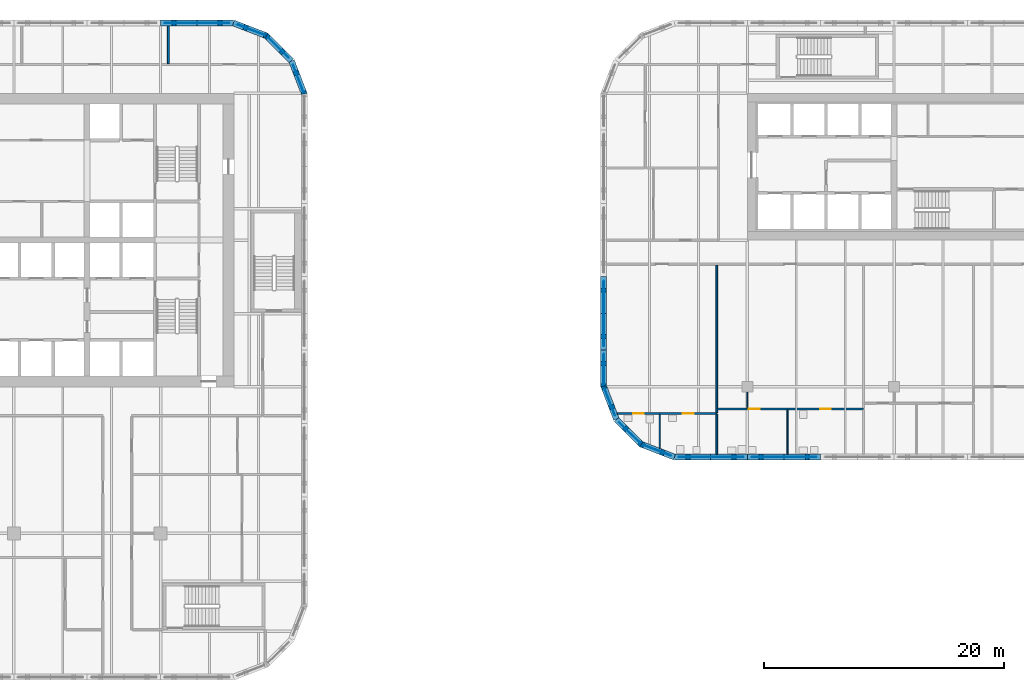
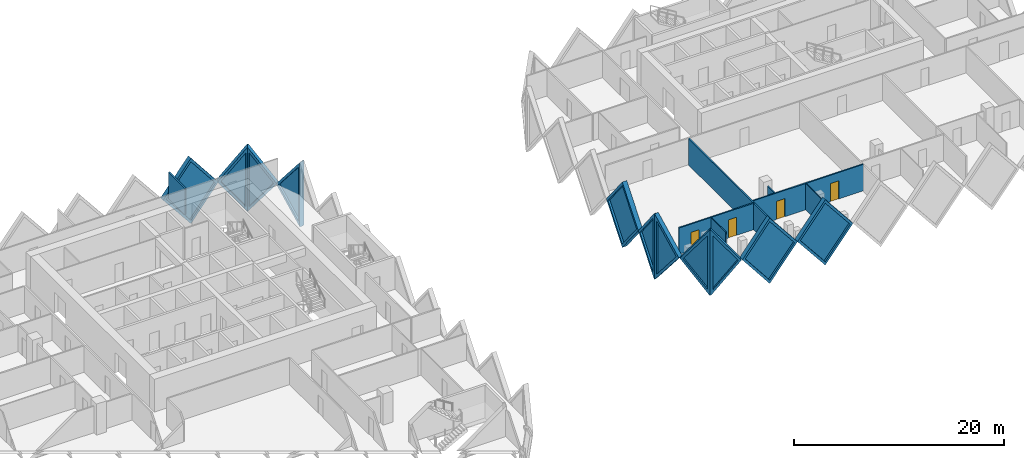
# One storey, part 11 of 20: 19 walls, 11 plates, 4 doors, 15 openings.
"""IFC4 building model written with IfcOpenShell, lengths in metres."""

from ifc_helpers import new_model, si_unit, direction, frame, frame_2d, origin, place, context, subcontext, project, spatial, polyline, rectangle, outline, extrude, faceted_brep, source, transform, mapped, material, layer, layer_set, type_object, element, fill, save


model = new_model("IFC4")

# Units and contexts
model_context = context("Model", 3, precision=1e-05, world=origin(), true_north=direction((0.0, 1.0)))
body_context = subcontext(model_context, "Body", "Model", "MODEL_VIEW")
ifc_project = project(units=[si_unit("LENGTHUNIT", "METRE"), si_unit("AREAUNIT", "SQUARE_METRE"), si_unit("VOLUMEUNIT", "CUBIC_METRE"), si_unit("PLANEANGLEUNIT", "RADIAN"), si_unit("MASSUNIT", "GRAM", prefix="KILO")], contexts=[model_context])

# Site, building, storey
site_placement = place(None, origin())
site = spatial("IfcSite", under=ifc_project, at=site_placement, CompositionType="ELEMENT")
building_placement = place(site_placement, origin())
building = spatial("IfcBuilding", under=site, at=building_placement, Name="Tessera Gate Towers", CompositionType="ELEMENT")
storey_placement = place(building_placement, frame((0.0, 0.0, 52.39990234375)))
storey = spatial("IfcBuildingStorey", under=building, at=storey_placement, Name="L12", CompositionType="ELEMENT", Elevation=52.39990234375)

# Walls
ifc_material_1 = material(Name="Gypsum board on steel studs", Category="steel")
ifc_layer_1 = layer(ifc_material_1, 0.10009765625)
ifc_layer_set_1 = layer_set([ifc_layer_1], Name="PARTITION 100")
wall_type_1 = type_object("IfcWallType", Name="PARTITION 100", PredefinedType="PARTITIONING", material=ifc_layer_set_1)
wall_1_placement = place(storey_placement, frame((100.944091796875, 18.800048828125, 0.0), z_axis=(0.0, 0.0, 1.0), x_axis=(0.0, 1.0, 0.0)))
element("IfcWall", 1, at=wall_1_placement, inside=storey, type_object=wall_type_1, Name="T2-L12-PW-002", PredefinedType="PARTITIONING", context=body_context, shape_type="SweptSolid", body=[
    extrude(rectangle(XDim=3.674072265625, YDim=0.10009765625, at=frame_2d((1.8369140625, 0.0))), origin(), (0.0, 0.0, 1.0), 3.067138671875),
])
wall_2_placement = place(storey_placement, frame((90.320068359375, 19.291015625, 0.0), z_axis=(0.0, 0.0, 1.0), x_axis=(0.0, 1.0, 0.0)))
element("IfcWall", 2, at=wall_2_placement, inside=storey, type_object=wall_type_1, Name="T2-L12-PW-008", PredefinedType="PARTITIONING", context=body_context, shape_type="SweptSolid", body=[
    extrude(rectangle(XDim=2.80810546875, YDim=0.10009765625, at=frame_2d((1.404052734375, 0.0))), origin(), (0.0, 0.0, 1.0), 3.067138671875),
])
wall_3_placement = place(storey_placement, frame((97.60009765625, 23.949951171875, 0.0), z_axis=(0.0, 0.0, 1.0), x_axis=(0.0, -1.0, 0.0)))
element("IfcWall", 3, at=wall_3_placement, inside=storey, type_object=wall_type_1, Name="T2-L12-PW-017", PredefinedType="PARTITIONING", context=body_context, shape_type="SweptSolid", body=[
    extrude(rectangle(XDim=1.324951171875, YDim=0.10009765625, at=frame_2d((0.66259765625, 0.0))), origin(), (0.0, 0.0, 1.0), 3.067138671875),
])
ifc_material_2 = material(Name="Gypsum board on steel studs, mineral wool", Category="steel")
ifc_layer_2 = layer(ifc_material_2, 0.14990234375)
ifc_layer_set_2 = layer_set([ifc_layer_2], Name="TENANCY WALL 150")
wall_type_2 = type_object("IfcWallType", Name="TENANCY WALL 150", PredefinedType="PARTITIONING", material=ifc_layer_set_2)
wall_4_placement = place(storey_placement, frame((49.449951171875, 51.27587890625, 0.0), z_axis=(0.0, 0.0, 1.0), x_axis=(0.0, 1.0, 0.0)))
element("IfcWall", 4, at=wall_4_placement, inside=storey, type_object=wall_type_2, Name="T1-L12-PW-057", PredefinedType="PARTITIONING", context=body_context, shape_type="SweptSolid", body=[
    extrude(rectangle(XDim=3.1240234375, YDim=0.14990234375, at=frame_2d((1.56201171875, 0.0))), origin(), (0.0, 0.0, 1.0), 3.067138671875),
])
wall_5_placement = place(storey_placement, frame((95.050048828125, 18.800048828125, 0.0), z_axis=(0.0, 0.0, 1.0), x_axis=(0.0, 1.0, 0.0)))
element("IfcWall", 5, at=wall_5_placement, inside=storey, type_object=wall_type_2, Name="T2-L12-PW-001", PredefinedType="PARTITIONING", context=body_context, shape_type="SweptSolid", body=[
    extrude(rectangle(XDim=3.299072265625, YDim=0.14990234375, at=frame_2d((1.6494140625, 0.0))), origin(), (0.0, 0.0, 1.0), 3.067138671875),
])

# Wall, openings, doors
wall_6_placement = place(storey_placement, frame((95.050048828125, 22.175048828125, 0.0), z_axis=(0.0, 0.0, 1.0), x_axis=(-1.0, 0.0, 0.0)))
wall_6 = element("IfcWall", 6, at=wall_6_placement, inside=storey, type_object=wall_type_2, Name="T2-L12-PW-009", PredefinedType="PARTITIONING", context=body_context, shape_type="SweptSolid", body=[
    extrude(rectangle(XDim=8.255859375, YDim=0.14990234375, at=frame_2d((4.1279296875, 0.0))), origin(), (0.0, 0.0, 1.0), 3.067138671875),
])
shared_shape_1 = source(origin(), body_context, "Body", "SweptSolid", [
    extrude(rectangle(XDim=0.89990234375, YDim=2.10009765625, at=frame_2d((0.449951171875, 1.050048828125))), frame((0.0, 0.0849609375, 0.0), z_axis=(0.0, -1.0, 0.0), x_axis=(1.0, 0.0, 0.0)), (0.0, 0.0, 1.0), 0.169921875),
])
opening_1_placement = place(wall_6_placement, frame((6.055908203125, 0.0, 0.0)))
opening_1 = element("IfcOpeningElement", 7, at=opening_1_placement, cuts=wall_6, Name="Opening D190-B05-01", PredefinedType="OPENING", context=body_context, shape_type="MappedRepresentation", body=[
    mapped(shared_shape_1, transform((0.0, 0.0, 0.0), scale=1.0)),
])
opening_2_placement = place(wall_6_placement, frame((1.9296875, 0.0, 0.0)))
opening_2 = element("IfcOpeningElement", 8, at=opening_2_placement, cuts=wall_6, Name="Opening D190-B05-04", PredefinedType="OPENING", context=body_context, shape_type="MappedRepresentation", body=[
    mapped(shared_shape_1, transform((0.0, 0.0, 0.0), scale=1.0)),
])
ifc_material_3 = material(Name="Timber door leaf in steel frame", Category="steel")
door_type = type_object("IfcDoorType", Name="INTERNAL DOOR 900 NOT RATED", OperationType="NOTDEFINED", PredefinedType="DOOR", material=ifc_material_3)
shared_shape_2 = source(origin(), body_context, "Body", "SweptSolid", [
    extrude(rectangle(XDim=0.89990234375, YDim=2.10009765625, at=frame_2d((0.449951171875, 1.050048828125))), frame((0.0, 0.02490234375, 0.0), z_axis=(0.0, -1.0, 0.0), x_axis=(1.0, 0.0, 0.0)), (0.0, 0.0, 1.0), 0.050048828125),
])
door_1_placement = place(opening_1_placement, origin())
door_1 = element("IfcDoor", 9, at=door_1_placement, inside=storey, type_object=door_type, Name="T2-L12-PD-001", OperationType="SINGLE_SWING_RIGHT", OverallHeight=2.10009765625, OverallWidth=0.89990234375, PredefinedType="DOOR", context=body_context, shape_type="MappedRepresentation", body=[
    mapped(shared_shape_2, transform((0.0, 0.0, 0.0), scale=1.0)),
])
fill(opening_1, door_1)
door_2_placement = place(opening_2_placement, origin())
door_2 = element("IfcDoor", 10, at=door_2_placement, inside=storey, type_object=door_type, Name="T2-L12-PD-007", OperationType="SINGLE_SWING_RIGHT", OverallHeight=2.10009765625, OverallWidth=0.89990234375, PredefinedType="DOOR", context=body_context, shape_type="MappedRepresentation", body=[
    mapped(shared_shape_2, transform((0.0, 0.0, 0.0), scale=1.0)),
])
fill(opening_2, door_2)

# Wall
wall_7_placement = place(storey_placement, frame((95.050048828125, 22.2509765625, 0.0), z_axis=(0.0, 0.0, 1.0), x_axis=(0.0, 1.0, 0.0)))
element("IfcWall", 11, at=wall_7_placement, inside=storey, type_object=wall_type_2, Name="T2-L12-PW-010", PredefinedType="PARTITIONING", context=body_context, shape_type="SweptSolid", body=[
    extrude(rectangle(XDim=12.27294921875, YDim=0.14990234375, at=frame_2d((6.136474609375, 0.0))), origin(), (0.0, 0.0, 1.0), 3.067138671875),
])

# Wall, openings, doors
wall_8_placement = place(storey_placement, frame((107.25, 22.550048828125, 0.0), z_axis=(0.0, 0.0, 1.0), x_axis=(-1.0, 0.0, 0.0)))
wall_8 = element("IfcWall", 12, at=wall_8_placement, inside=storey, type_object=wall_type_2, Name="T2-L12-PW-011", PredefinedType="PARTITIONING", context=body_context, shape_type="SweptSolid", body=[
    extrude(rectangle(XDim=12.1240234375, YDim=0.14990234375, at=frame_2d((6.06201171875, 0.0))), origin(), (0.0, 0.0, 1.0), 3.067138671875),
])
opening_3_placement = place(wall_8_placement, frame((8.6240234375, 0.0, 0.0)))
opening_3 = element("IfcOpeningElement", 13, at=opening_3_placement, cuts=wall_8, Name="Opening D190-B05-06", PredefinedType="OPENING", context=body_context, shape_type="MappedRepresentation", body=[
    mapped(shared_shape_1, transform((0.0, 0.0, 0.0), scale=1.0)),
])
opening_4_placement = place(wall_8_placement, frame((2.706298828125, 0.0, 0.0)))
opening_4 = element("IfcOpeningElement", 14, at=opening_4_placement, cuts=wall_8, Name="Opening D190-B05-08", PredefinedType="OPENING", context=body_context, shape_type="MappedRepresentation", body=[
    mapped(shared_shape_1, transform((0.0, 0.0, 0.0), scale=1.0)),
])
door_3_placement = place(opening_3_placement, origin())
door_3 = element("IfcDoor", 15, at=door_3_placement, inside=storey, type_object=door_type, Name="T2-L12-PD-009", OperationType="SINGLE_SWING_RIGHT", OverallHeight=2.10009765625, OverallWidth=0.89990234375, PredefinedType="DOOR", context=body_context, shape_type="MappedRepresentation", body=[
    mapped(shared_shape_2, transform((0.0, 0.0, 0.0), scale=1.0)),
])
fill(opening_3, door_3)
door_4_placement = place(opening_4_placement, origin())
door_4 = element("IfcDoor", 16, at=door_4_placement, inside=storey, type_object=door_type, Name="T2-L12-PD-012", OperationType="SINGLE_SWING_RIGHT", OverallHeight=2.10009765625, OverallWidth=0.89990234375, PredefinedType="DOOR", context=body_context, shape_type="MappedRepresentation", body=[
    mapped(shared_shape_2, transform((0.0, 0.0, 0.0), scale=1.0)),
])
fill(opening_4, door_4)

# Wall, opening, plate
ifc_material_4 = material(Name="Precast concrete C60/75 white", Category="concrete")
ifc_layer_3 = layer(ifc_material_4, 0.5)
ifc_layer_set_3 = layer_set([ifc_layer_3], Name="TS1 tessera")
wall_type_3 = type_object("IfcWallType", Name="TS1 tessera", PredefinedType="SOLIDWALL", material=ifc_layer_set_3)
shared_shape_3 = source(origin(), body_context, "Body", "Brep", [
    faceted_brep([(3.050048828125, -0.25, 0.0), (6.099853515625, -0.25, 3.799560546875), (6.099853515625, -0.25, 3.800048828125), (3.050048828125, -0.25, 7.599853515625), (0.0, -0.25, 3.7998046875), (0.0, 0.25, 3.7998046875), (3.050048828125, 0.25, 7.599853515625), (6.099853515625, 0.25, 3.800048828125), (6.099853515625, 0.25, 3.799560546875), (3.050048828125, 0.25, 0.0)], [[[0, 1, 2, 3, 4]], [[5, 6, 7, 8, 9]], [[9, 8, 1, 0]], [[7, 6, 3, 2]], [[6, 5, 4, 3]], [[5, 9, 0, 4]], [[1, 8, 7, 2]]]),
])
wall_9_placement = place(storey_placement, frame((97.60009765625, 18.550048828125, -3.7998046875), z_axis=(0.0, 0.0, 1.0), x_axis=(1.0, 0.0, 0.0)))
wall_9 = element("IfcWall", 17, at=wall_9_placement, inside=storey, type_object=wall_type_3, Name="Precast tessera T2 TS1-0127", PredefinedType="SOLIDWALL", context=body_context, shape_type="MappedRepresentation", body=[
    mapped(shared_shape_3, transform((0.0, 0.0, 0.0), scale=1.0)),
])
shared_shape_4 = source(origin(), body_context, "Body", "SweptSolid", [
    extrude(outline(polyline([(3.050048828125, 0.3994140625), (5.779541015625, 3.7998046875), (3.050048828125, 7.200439453125), (0.320556640625, 3.7998046875), (3.050048828125, 0.3994140625)])), frame((0.0, 0.260009765625, 0.0), z_axis=(0.0, -1.0, 0.0), x_axis=(1.0, 0.0, 0.0)), (0.0, 0.0, 1.0), 0.52001953125),
])
opening_5_placement = place(wall_9_placement, origin())
opening_5 = element("IfcOpeningElement", 18, at=opening_5_placement, cuts=wall_9, Name="Opening T2-PL2-0239", PredefinedType="OPENING", context=body_context, shape_type="MappedRepresentation", body=[
    mapped(shared_shape_4, transform((0.0, 0.0, 0.0), scale=1.0)),
])
ifc_material_5 = material(Name="Low-e laminated glass", Category="glass")
ifc_layer_4 = layer(ifc_material_5, 0.06005859375)
ifc_layer_set_4 = layer_set([ifc_layer_4], Name="PL2 rhombic pane")
plate_type = type_object("IfcPlateType", Name="PL2 rhombic pane", PredefinedType="SHEET", material=ifc_layer_set_4)
shared_shape_5 = source(origin(), body_context, "Body", "SweptSolid", [
    extrude(outline(polyline([(3.050048828125, 0.3994140625), (5.779541015625, 3.7998046875), (3.050048828125, 7.200439453125), (0.320556640625, 3.7998046875), (3.050048828125, 0.3994140625)])), frame((0.0, 0.030029296875, 0.0), z_axis=(0.0, -1.0, 0.0), x_axis=(1.0, 0.0, 0.0)), (0.0, 0.0, 1.0), 0.06005859375),
])
plate_1_placement = place(opening_5_placement, origin())
plate_1 = element("IfcPlate", 19, at=plate_1_placement, inside=storey, type_object=plate_type, Name="Glass pane T2 PL2-0239", PredefinedType="SHEET", context=body_context, shape_type="MappedRepresentation", body=[
    mapped(shared_shape_5, transform((0.0, 0.0, 0.0), scale=1.0)),
])
fill(opening_5, plate_1)

shared_shape_6 = source(origin(), body_context, "Body", "SweptSolid", [
    extrude(outline(polyline([(3.050048828125, 0.0), (6.10009765625, 3.7998046875), (3.050048828125, 7.599853515625), (0.0, 3.7998046875), (3.050048828125, 0.0)])), frame((0.0, 0.25, 0.0), z_axis=(0.0, -1.0, 0.0), x_axis=(1.0, 0.0, 0.0)), (0.0, 0.0, 1.0), 0.5),
])
wall_10_placement = place(storey_placement, frame((85.64990234375, 33.550048828125, -3.7998046875), z_axis=(0.0, 0.0, 1.0), x_axis=(0.0, -1.0, 0.0)))
wall_10 = element("IfcWall", 20, at=wall_10_placement, inside=storey, type_object=wall_type_3, Name="Precast tessera T2 TS1-0143", PredefinedType="SOLIDWALL", context=body_context, shape_type="MappedRepresentation", body=[
    mapped(shared_shape_6, transform((0.0, 0.0, 0.0), scale=1.0)),
])
opening_6_placement = place(wall_10_placement, origin())
opening_6 = element("IfcOpeningElement", 21, at=opening_6_placement, cuts=wall_10, Name="Opening T2-PL2-0267", PredefinedType="OPENING", context=body_context, shape_type="MappedRepresentation", body=[
    mapped(shared_shape_4, transform((0.0, 0.0, 0.0), scale=1.0)),
])
plate_2_placement = place(opening_6_placement, origin())
plate_2 = element("IfcPlate", 22, at=plate_2_placement, inside=storey, type_object=plate_type, Name="Glass pane T2 PL2-0267", PredefinedType="SHEET", context=body_context, shape_type="MappedRepresentation", body=[
    mapped(shared_shape_5, transform((0.0, 0.0, 0.0), scale=1.0)),
])
fill(opening_6, plate_2)

ifc_material_6 = material(Name="Precast concrete C60/75 white", Category="concrete")
ifc_layer_5 = layer(ifc_material_6, 0.5)
ifc_layer_set_5 = layer_set([ifc_layer_5], Name="TS3 corner tessera")
wall_type_4 = type_object("IfcWallType", Name="TS3 corner tessera", PredefinedType="SOLIDWALL", material=ifc_layer_set_5)
shared_shape_7 = source(origin(), body_context, "Body", "Brep", [
    faceted_brep([(3.00341796875, -0.25, 0.0), (3.050048828125, -0.25, 0.06005859375), (3.050048828125, -0.25, 7.539794921875), (3.00341796875, -0.25, 7.599853515625), (0.0, -0.25, 3.7998046875), (0.0, 0.25, 3.7998046875), (2.956787109375, 0.25, 7.541015625), (2.956787109375, 0.25, 0.058837890625), (3.00341796875, 0.000244140625, 0.0), (3.00341796875, 0.000244140625, 7.599853515625)], [[[0, 1, 2, 3, 4]], [[5, 6, 7]], [[1, 0, 8]], [[9, 3, 2]], [[6, 5, 4, 3, 9]], [[5, 7, 8, 0, 4]], [[1, 8, 7, 6, 9, 2]]]),
])
wall_11_placement = place(storey_placement, frame((85.64990234375, 27.449951171875, -3.7998046875), z_axis=(0.0, 0.0, 1.0), x_axis=(0.0, -1.0, 0.0)))
wall_11 = element("IfcWall", 23, at=wall_11_placement, inside=storey, type_object=wall_type_4, Name="Precast corner tessera T2 TS3-0173", PredefinedType="SOLIDWALL", context=body_context, shape_type="MappedRepresentation", body=[
    mapped(shared_shape_7, transform((0.0, 0.0, 0.0), scale=1.0)),
])
shared_shape_8 = source(origin(), body_context, "Body", "SweptSolid", [
    extrude(outline(polyline([(2.803466796875, 6.943603515625), (0.318603515625, 3.7998046875), (2.803466796875, 0.656005859375), (2.803466796875, 6.943603515625)])), frame((0.0, 0.260009765625, 0.0), z_axis=(0.0, -1.0, 0.0), x_axis=(1.0, 0.0, 0.0)), (0.0, 0.0, 1.0), 0.52001953125),
])
opening_7_placement = place(wall_11_placement, origin())
opening_7 = element("IfcOpeningElement", 24, at=opening_7_placement, cuts=wall_11, Name="Opening T2-PL2-0268", PredefinedType="OPENING", context=body_context, shape_type="MappedRepresentation", body=[
    mapped(shared_shape_8, transform((0.0, 0.0, 0.0), scale=1.0)),
])
shared_shape_9 = source(origin(), body_context, "Body", "SweptSolid", [
    extrude(outline(polyline([(2.803466796875, 6.943603515625), (0.318603515625, 3.7998046875), (2.803466796875, 0.656005859375), (2.803466796875, 6.943603515625)])), frame((0.0, 0.030029296875, 0.0), z_axis=(0.0, -1.0, 0.0), x_axis=(1.0, 0.0, 0.0)), (0.0, 0.0, 1.0), 0.06005859375),
])
plate_3_placement = place(opening_7_placement, origin())
plate_3 = element("IfcPlate", 25, at=plate_3_placement, inside=storey, type_object=plate_type, Name="Glass pane T2 PL2-0268", PredefinedType="SHEET", context=body_context, shape_type="MappedRepresentation", body=[
    mapped(shared_shape_9, transform((0.0, 0.0, 0.0), scale=1.0)),
])
fill(opening_7, plate_3)

shared_shape_10 = source(origin(), body_context, "Body", "Brep", [
    faceted_brep([(0.046630859375, -0.25, 0.0), (2.9970703125, -0.25, 3.7998046875), (0.046630859375, -0.25, 7.599853515625), (0.0, -0.25, 7.541015625), (0.0, -0.25, 0.058837890625), (0.09326171875, 0.25, 7.539794921875), (2.9443359375, 0.25, 3.867919921875), (2.9443359375, 0.25, 3.731689453125), (0.09326171875, 0.25, 0.06005859375), (2.9970703125, 0.00048828125, 3.7998046875), (0.046630859375, 0.0, 0.0), (0.046630859375, 0.0, 7.599853515625)], [[[0, 1, 2, 3, 4]], [[5, 6, 7, 8]], [[8, 7, 9, 1, 0, 10]], [[6, 5, 11, 2, 1, 9]], [[3, 2, 11]], [[10, 0, 4]], [[8, 10, 4, 3, 11, 5]], [[9, 7, 6]]]),
])
wall_12_placement = place(storey_placement, frame((60.766845703125, 48.7099609375, -3.7998046875), z_axis=(0.0, 0.0, 1.0), x_axis=(-0.359901446078, 0.932990326376, 0.0)))
wall_12 = element("IfcWall", 26, at=wall_12_placement, inside=storey, type_object=wall_type_4, Name="Precast corner tessera T1 TS3-0246", PredefinedType="SOLIDWALL", context=body_context, shape_type="MappedRepresentation", body=[
    mapped(shared_shape_10, transform((0.0, 0.0, 0.0), scale=1.0)),
])
shared_shape_11 = source(origin(), body_context, "Body", "SweptSolid", [
    extrude(outline(polyline([(0.24658203125, 0.6650390625), (2.6806640625, 3.7998046875), (0.24658203125, 6.9345703125), (0.24658203125, 0.6650390625)])), frame((0.0, 0.260009765625, 0.0), z_axis=(0.0, -1.0, 0.0), x_axis=(1.0, 0.0, 0.0)), (0.0, 0.0, 1.0), 0.52001953125),
])
opening_8_placement = place(wall_12_placement, origin())
opening_8 = element("IfcOpeningElement", 27, at=opening_8_placement, cuts=wall_12, Name="Opening T1-PL2-0344", PredefinedType="OPENING", context=body_context, shape_type="MappedRepresentation", body=[
    mapped(shared_shape_11, transform((0.0, 0.0, 0.0), scale=1.0)),
])
shared_shape_12 = source(origin(), body_context, "Body", "SweptSolid", [
    extrude(outline(polyline([(0.24658203125, 0.6650390625), (2.6806640625, 3.7998046875), (0.24658203125, 6.9345703125), (0.24658203125, 0.6650390625)])), frame((0.0, 0.030029296875, 0.0), z_axis=(0.0, -1.0, 0.0), x_axis=(1.0, 0.0, 0.0)), (0.0, 0.0, 1.0), 0.06005859375),
])
plate_4_placement = place(opening_8_placement, origin())
plate_4 = element("IfcPlate", 28, at=plate_4_placement, inside=storey, type_object=plate_type, Name="Glass pane T1 PL2-0344", PredefinedType="SHEET", context=body_context, shape_type="MappedRepresentation", body=[
    mapped(shared_shape_12, transform((0.0, 0.0, 0.0), scale=1.0)),
])
fill(opening_8, plate_4)

wall_13_placement = place(storey_placement, frame((85.63330078125, 24.489990234375, -3.7998046875), z_axis=(0.0, 0.0, 1.0), x_axis=(0.359901446078, -0.932990326376, 0.0)))
wall_13 = element("IfcWall", 29, at=wall_13_placement, inside=storey, type_object=wall_type_4, Name="Precast corner tessera T2 TS3-0174", PredefinedType="SOLIDWALL", context=body_context, shape_type="MappedRepresentation", body=[
    mapped(shared_shape_10, transform((0.0, 0.0, 0.0), scale=1.0)),
])
opening_9_placement = place(wall_13_placement, origin())
opening_9 = element("IfcOpeningElement", 30, at=opening_9_placement, cuts=wall_13, Name="Opening T2-PL2-0269", PredefinedType="OPENING", context=body_context, shape_type="MappedRepresentation", body=[
    mapped(shared_shape_11, transform((0.0, 0.0, 0.0), scale=1.0)),
])
plate_5_placement = place(opening_9_placement, origin())
plate_5 = element("IfcPlate", 31, at=plate_5_placement, inside=storey, type_object=plate_type, Name="Glass pane T2 PL2-0269", PredefinedType="SHEET", context=body_context, shape_type="MappedRepresentation", body=[
    mapped(shared_shape_12, transform((0.0, 0.0, 0.0), scale=1.0)),
])
fill(opening_9, plate_5)

shared_shape_13 = source(origin(), body_context, "Body", "Brep", [
    faceted_brep([(2.944091796875, -0.25, 0.0), (2.9970703125, -0.25, 0.068115234375), (2.9970703125, -0.25, 7.53173828125), (2.944091796875, -0.25, 7.599853515625), (0.0, -0.25, 3.7998046875), (0.052978515625, 0.25, 3.8681640625), (2.89111328125, 0.25, 7.53173828125), (2.89111328125, 0.25, 0.068115234375), (0.052978515625, 0.25, 3.7314453125), (2.944091796875, 0.000244140625, 0.0), (2.944091796875, 0.000244140625, 7.599853515625), (0.0, 0.0, 3.7998046875)], [[[0, 1, 2, 3, 4]], [[5, 6, 7, 8]], [[1, 0, 9]], [[10, 3, 2]], [[6, 5, 11, 4, 3, 10]], [[8, 7, 9, 0, 4, 11]], [[8, 11, 5]], [[1, 9, 7, 6, 10, 2]]]),
])
wall_14_placement = place(storey_placement, frame((86.7119140625, 21.69384765625, -3.7998046875), z_axis=(0.0, 0.0, 1.0), x_axis=(0.707066050402, -0.707147509625, 0.0)))
wall_14 = element("IfcWall", 32, at=wall_14_placement, inside=storey, type_object=wall_type_4, Name="Precast corner tessera T2 TS3-0175", PredefinedType="SOLIDWALL", context=body_context, shape_type="MappedRepresentation", body=[
    mapped(shared_shape_13, transform((0.0, 0.0, 0.0), scale=1.0)),
])
shared_shape_14 = source(origin(), body_context, "Body", "SweptSolid", [
    extrude(outline(polyline([(2.744140625, 6.93359375), (0.316162109375, 3.7998046875), (2.744140625, 0.666259765625), (2.744140625, 6.93359375)])), frame((0.0, 0.260009765625, 0.0), z_axis=(0.0, -1.0, 0.0), x_axis=(1.0, 0.0, 0.0)), (0.0, 0.0, 1.0), 0.52001953125),
])
opening_10_placement = place(wall_14_placement, origin())
opening_10 = element("IfcOpeningElement", 33, at=opening_10_placement, cuts=wall_14, Name="Opening T2-PL2-0270", PredefinedType="OPENING", context=body_context, shape_type="MappedRepresentation", body=[
    mapped(shared_shape_14, transform((0.0, 0.0, 0.0), scale=1.0)),
])
shared_shape_15 = source(origin(), body_context, "Body", "SweptSolid", [
    extrude(outline(polyline([(2.744140625, 6.93359375), (0.316162109375, 3.7998046875), (2.744140625, 0.666259765625), (2.744140625, 6.93359375)])), frame((0.0, 0.030029296875, 0.0), z_axis=(0.0, -1.0, 0.0), x_axis=(1.0, 0.0, 0.0)), (0.0, 0.0, 1.0), 0.06005859375),
])
plate_6_placement = place(opening_10_placement, origin())
plate_6 = element("IfcPlate", 34, at=plate_6_placement, inside=storey, type_object=plate_type, Name="Glass pane T2 PL2-0270", PredefinedType="SHEET", context=body_context, shape_type="MappedRepresentation", body=[
    mapped(shared_shape_15, transform((0.0, 0.0, 0.0), scale=1.0)),
])
fill(opening_10, plate_6)

shared_shape_16 = source(origin(), body_context, "Body", "Brep", [
    faceted_brep([(3.00341796875, -0.25, 0.0), (6.053466796875, -0.25, 3.7998046875), (3.00341796875, -0.25, 7.599853515625), (0.0, -0.25, 3.7998046875), (0.046630859375, 0.25, 3.858642578125), (3.00341796875, 0.25, 7.599853515625), (6.053466796875, 0.25, 3.7998046875), (3.00341796875, 0.25, 0.0), (0.046630859375, 0.25, 3.740966796875), (0.0, 0.0, 3.7998046875)], [[[0, 1, 2, 3]], [[4, 5, 6, 7, 8]], [[7, 6, 1, 0]], [[6, 5, 2, 1]], [[5, 4, 9, 3, 2]], [[8, 7, 0, 3, 9]], [[8, 9, 4]]]),
])
wall_15_placement = place(storey_placement, frame((54.853515625, 54.64990234375, -3.7998046875), z_axis=(0.0, 0.0, 1.0), x_axis=(-1.0, 0.0, 0.0)))
wall_15 = element("IfcWall", 35, at=wall_15_placement, inside=storey, type_object=wall_type_3, Name="Precast tessera T1 TS1-0171", PredefinedType="SOLIDWALL", context=body_context, shape_type="MappedRepresentation", body=[
    mapped(shared_shape_16, transform((0.0, 0.0, 0.0), scale=1.0)),
])
shared_shape_17 = source(origin(), body_context, "Body", "SweptSolid", [
    extrude(outline(polyline([(3.0048828125, 0.401123046875), (5.73291015625, 3.7998046875), (3.0048828125, 7.19873046875), (0.318603515625, 3.7998046875), (3.0048828125, 0.401123046875)])), frame((0.0, 0.260009765625, 0.0), z_axis=(0.0, -1.0, 0.0), x_axis=(1.0, 0.0, 0.0)), (0.0, 0.0, 1.0), 0.52001953125),
])
opening_11_placement = place(wall_15_placement, origin())
opening_11 = element("IfcOpeningElement", 36, at=opening_11_placement, cuts=wall_15, Name="Opening T1-PL2-0347", PredefinedType="OPENING", context=body_context, shape_type="MappedRepresentation", body=[
    mapped(shared_shape_17, transform((0.0, 0.0, 0.0), scale=1.0)),
])
shared_shape_18 = source(origin(), body_context, "Body", "SweptSolid", [
    extrude(outline(polyline([(3.0048828125, 0.401123046875), (5.73291015625, 3.7998046875), (3.0048828125, 7.19873046875), (0.318603515625, 3.7998046875), (3.0048828125, 0.401123046875)])), frame((0.0, 0.030029296875, 0.0), z_axis=(0.0, -1.0, 0.0), x_axis=(1.0, 0.0, 0.0)), (0.0, 0.0, 1.0), 0.06005859375),
])
plate_7_placement = place(opening_11_placement, origin())
plate_7 = element("IfcPlate", 37, at=plate_7_placement, inside=storey, type_object=plate_type, Name="Glass pane T1 PL2-0347", PredefinedType="SHEET", context=body_context, shape_type="MappedRepresentation", body=[
    mapped(shared_shape_18, transform((0.0, 0.0, 0.0), scale=1.0)),
])
fill(opening_11, plate_7)

wall_16_placement = place(storey_placement, frame((91.546630859375, 18.550048828125, -3.7998046875), z_axis=(0.0, 0.0, 1.0), x_axis=(1.0, 0.0, 0.0)))
wall_16 = element("IfcWall", 38, at=wall_16_placement, inside=storey, type_object=wall_type_3, Name="Precast tessera T2 TS1-0126", PredefinedType="SOLIDWALL", context=body_context, shape_type="MappedRepresentation", body=[
    mapped(shared_shape_16, transform((0.0, 0.0, 0.0), scale=1.0)),
])
opening_12_placement = place(wall_16_placement, origin())
opening_12 = element("IfcOpeningElement", 39, at=opening_12_placement, cuts=wall_16, Name="Opening T2-PL2-0238", PredefinedType="OPENING", context=body_context, shape_type="MappedRepresentation", body=[
    mapped(shared_shape_17, transform((0.0, 0.0, 0.0), scale=1.0)),
])
plate_8_placement = place(opening_12_placement, origin())
plate_8 = element("IfcPlate", 40, at=plate_8_placement, inside=storey, type_object=plate_type, Name="Glass pane T2 PL2-0238", PredefinedType="SHEET", context=body_context, shape_type="MappedRepresentation", body=[
    mapped(shared_shape_18, transform((0.0, 0.0, 0.0), scale=1.0)),
])
fill(opening_12, plate_8)

shared_shape_19 = source(origin(), body_context, "Body", "Brep", [
    faceted_brep([(2.944091796875, -0.25, 0.0), (2.9970703125, -0.25, 0.068115234375), (2.9970703125, -0.25, 7.53173828125), (2.944091796875, -0.25, 7.599853515625), (0.0, -0.25, 3.7998046875), (0.052978515625, 0.25, 3.8681640625), (2.89111328125, 0.25, 7.53173828125), (2.89111328125, 0.25, 0.068115234375), (0.052978515625, 0.25, 3.7314453125), (2.944091796875, 0.000244140625, 0.0), (2.944091796875, 0.000244140625, 7.599853515625), (0.0, 0.0, 3.7998046875)], [[[0, 1, 2, 3, 4]], [[5, 6, 7, 8]], [[1, 0, 9]], [[10, 3, 2]], [[6, 5, 11, 4, 3, 10]], [[8, 7, 9, 0, 4, 11]], [[8, 11, 5]], [[1, 9, 7, 6, 10, 2]]]),
])
wall_17_placement = place(storey_placement, frame((59.68798828125, 51.50634765625, -3.7998046875), z_axis=(0.0, 0.0, 1.0), x_axis=(-0.707106781187, 0.707106781187, 0.0)))
wall_17 = element("IfcWall", 41, at=wall_17_placement, inside=storey, type_object=wall_type_4, Name="Precast corner tessera T1 TS3-0247", PredefinedType="SOLIDWALL", context=body_context, shape_type="MappedRepresentation", body=[
    mapped(shared_shape_19, transform((0.0, 0.0, 0.0), scale=1.0)),
])
opening_13_placement = place(wall_17_placement, origin())
opening_13 = element("IfcOpeningElement", 42, at=opening_13_placement, cuts=wall_17, Name="Opening T1-PL2-0345", PredefinedType="OPENING", context=body_context, shape_type="MappedRepresentation", body=[
    mapped(shared_shape_14, transform((0.0, 0.0, 0.0), scale=1.0)),
])
plate_9_placement = place(opening_13_placement, origin())
plate_9 = element("IfcPlate", 43, at=plate_9_placement, inside=storey, type_object=plate_type, Name="Glass pane T1 PL2-0345", PredefinedType="SHEET", context=body_context, shape_type="MappedRepresentation", body=[
    mapped(shared_shape_15, transform((0.0, 0.0, 0.0), scale=1.0)),
])
fill(opening_13, plate_9)

shared_shape_20 = source(origin(), body_context, "Body", "Brep", [
    faceted_brep([(0.052978515625, -0.25, 0.0), (3.00341796875, -0.25, 3.7998046875), (0.052978515625, -0.25, 7.599853515625), (0.0, -0.25, 7.531494140625), (0.0, -0.25, 0.068359375), (0.10595703125, 0.25, 7.53173828125), (2.95703125, 0.25, 3.859619140625), (2.95703125, 0.25, 3.739990234375), (0.10595703125, 0.25, 0.068115234375), (3.00341796875, 0.00048828125, 3.7998046875), (0.052978515625, 0.0, 0.0), (0.052978515625, 0.0, 7.599853515625)], [[[0, 1, 2, 3, 4]], [[5, 6, 7, 8]], [[8, 7, 9, 1, 0, 10]], [[6, 5, 11, 2, 1, 9]], [[3, 2, 11]], [[10, 0, 4]], [[8, 10, 4, 3, 11, 5]], [[9, 7, 6]]]),
])
wall_18_placement = place(storey_placement, frame((57.65576171875, 53.569091796875, -3.7998046875), z_axis=(0.0, 0.0, 1.0), x_axis=(-0.933007896601, 0.359855894603, 0.0)))
wall_18 = element("IfcWall", 44, at=wall_18_placement, inside=storey, type_object=wall_type_4, Name="Precast corner tessera T1 TS3-0248", PredefinedType="SOLIDWALL", context=body_context, shape_type="MappedRepresentation", body=[
    mapped(shared_shape_20, transform((0.0, 0.0, 0.0), scale=1.0)),
])
shared_shape_21 = source(origin(), body_context, "Body", "SweptSolid", [
    extrude(outline(polyline([(0.2529296875, 0.6650390625), (2.68701171875, 3.7998046875), (0.2529296875, 6.9345703125), (0.2529296875, 0.6650390625)])), frame((0.0, 0.260009765625, 0.0), z_axis=(0.0, -1.0, 0.0), x_axis=(1.0, 0.0, 0.0)), (0.0, 0.0, 1.0), 0.52001953125),
])
opening_14_placement = place(wall_18_placement, origin())
opening_14 = element("IfcOpeningElement", 45, at=opening_14_placement, cuts=wall_18, Name="Opening T1-PL2-0346", PredefinedType="OPENING", context=body_context, shape_type="MappedRepresentation", body=[
    mapped(shared_shape_21, transform((0.0, 0.0, 0.0), scale=1.0)),
])
shared_shape_22 = source(origin(), body_context, "Body", "SweptSolid", [
    extrude(outline(polyline([(0.2529296875, 0.6650390625), (2.68701171875, 3.7998046875), (0.2529296875, 6.9345703125), (0.2529296875, 0.6650390625)])), frame((0.0, 0.030029296875, 0.0), z_axis=(0.0, -1.0, 0.0), x_axis=(1.0, 0.0, 0.0)), (0.0, 0.0, 1.0), 0.06005859375),
])
plate_10_placement = place(opening_14_placement, origin())
plate_10 = element("IfcPlate", 46, at=plate_10_placement, inside=storey, type_object=plate_type, Name="Glass pane T1 PL2-0346", PredefinedType="SHEET", context=body_context, shape_type="MappedRepresentation", body=[
    mapped(shared_shape_22, transform((0.0, 0.0, 0.0), scale=1.0)),
])
fill(opening_14, plate_10)

shared_shape_23 = source(origin(), body_context, "Body", "Brep", [
    faceted_brep([(0.052978515625, -0.25, 0.0), (3.00341796875, -0.25, 3.7998046875), (0.052978515625, -0.25, 7.599853515625), (0.0, -0.25, 7.531494140625), (0.0, -0.25, 0.068359375), (0.10595703125, 0.25, 7.53173828125), (2.95703125, 0.25, 3.859619140625), (2.95703125, 0.25, 3.739990234375), (0.10595703125, 0.25, 0.068115234375), (3.00341796875, 0.00048828125, 3.7998046875), (0.052978515625, 0.0, 0.0), (0.052978515625, 0.0, 7.599853515625)], [[[0, 1, 2, 3, 4]], [[5, 6, 7, 8]], [[8, 7, 9, 1, 0, 10]], [[6, 5, 11, 2, 1, 9]], [[3, 2, 11]], [[10, 0, 4]], [[8, 10, 4, 3, 11, 5]], [[9, 7, 6]]]),
])
wall_19_placement = place(storey_placement, frame((88.744384765625, 19.630859375, -3.7998046875), z_axis=(0.0, 0.0, 1.0), x_axis=(0.932997369089, -0.359883188373, 0.0)))
wall_19 = element("IfcWall", 47, at=wall_19_placement, inside=storey, type_object=wall_type_4, Name="Precast corner tessera T2 TS3-0176", PredefinedType="SOLIDWALL", context=body_context, shape_type="MappedRepresentation", body=[
    mapped(shared_shape_23, transform((0.0, 0.0, 0.0), scale=1.0)),
])
opening_15_placement = place(wall_19_placement, origin())
opening_15 = element("IfcOpeningElement", 48, at=opening_15_placement, cuts=wall_19, Name="Opening T2-PL2-0271", PredefinedType="OPENING", context=body_context, shape_type="MappedRepresentation", body=[
    mapped(shared_shape_21, transform((0.0, 0.0, 0.0), scale=1.0)),
])
plate_11_placement = place(opening_15_placement, origin())
plate_11 = element("IfcPlate", 49, at=plate_11_placement, inside=storey, type_object=plate_type, Name="Glass pane T2 PL2-0271", PredefinedType="SHEET", context=body_context, shape_type="MappedRepresentation", body=[
    mapped(shared_shape_22, transform((0.0, 0.0, 0.0), scale=1.0)),
])
fill(opening_15, plate_11)

save(model, "model.ifc")
